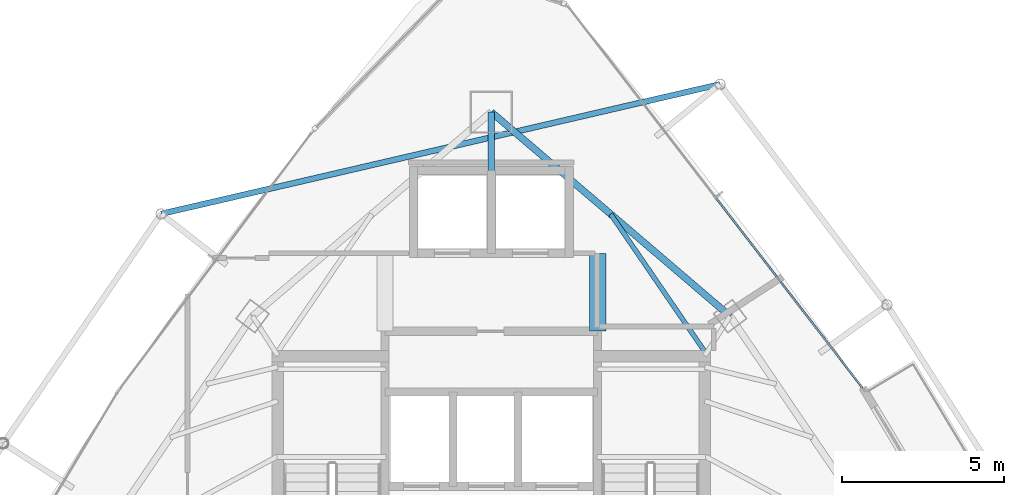
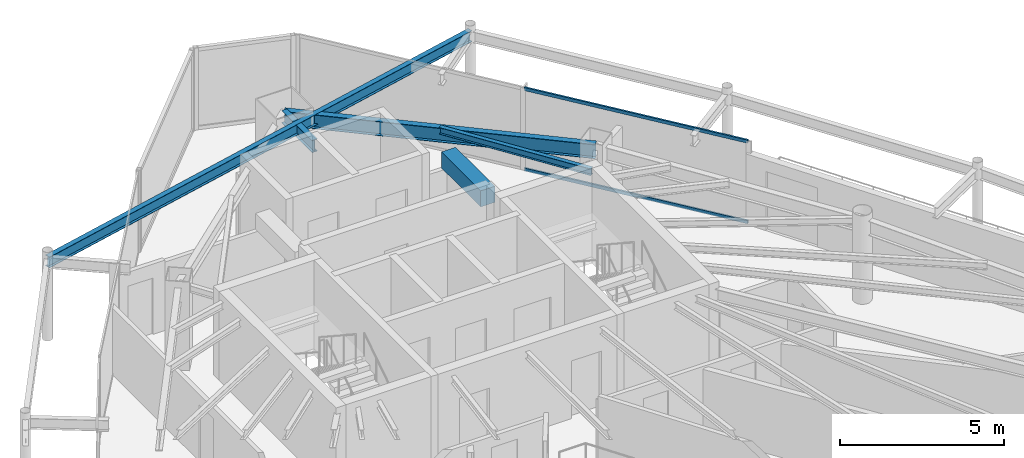
# One storey, part 22 of 30: 5 beams, 2 members, 1 element without a shape of its own.
"""IFC4 building model written with IfcOpenShell, lengths in metres."""

import ifcopenshell
import ifcopenshell.guid

model = None  # the IFC model being written
_history = None  # IfcOwnerHistory: only IFC2X3 demands one
_inside = {}  # id of a spatial element -> (the spatial element, [elements in it])
_under = {}  # id of a project, library or spatial element -> (it, [spatial elements below it])
_declared = {}  # id of a project -> (the project, [libraries it declares])
_typed = {}  # id of a type object -> (the type object, [elements of that type])
_made_of = {}  # id of a material, layer set ... -> (it, [elements and type objects made of it])


def new_model(schema):
    """Start an empty IFC model of exactly this schema.

    Asked for "IFC4X3", IfcOpenShell would pick the latest addendum, in which some entities
    have other attributes; the version numbers below select the first issue.
    IFC2X3 requires an IfcOwnerHistory on every rooted entity: one is made here for all.
    """
    global model, _history
    if schema == "IFC4X3":
        model = ifcopenshell.file(schema_version=(4, 3, 0, 0))
    else:
        model = ifcopenshell.file(schema=schema)
    _inside.clear()
    _under.clear()
    _declared.clear()
    _typed.clear()
    _made_of.clear()
    _history = None
    if model.schema == "IFC2X3":
        org = make("IfcOrganization", Name="unknown")
        user = make(
            "IfcPersonAndOrganization",
            ThePerson=make("IfcPerson", FamilyName="unknown"),
            TheOrganization=org,
        )
        app = make(
            "IfcApplication",
            ApplicationDeveloper=org,
            Version="unknown",
            ApplicationFullName="unknown",
            ApplicationIdentifier="unknown",
        )
        _history = make(
            "IfcOwnerHistory",
            OwningUser=user,
            OwningApplication=app,
            ChangeAction="ADDED",
            CreationDate=0,
        )
    return model


def make(cls, **values):
    """One entity of the class cls with the attributes given. An attribute that is None is left unset."""
    return model.create_entity(
        cls, **{name: value for name, value in values.items() if value is not None}
    )


def rooted(cls, **values):
    """An entity with a GlobalId (a new one), such as an element, a storey or a relation."""
    return make(cls, GlobalId=ifcopenshell.guid.new(), OwnerHistory=_history, **values)


def si_unit(unit_type, name, prefix=None):
    """IfcSIUnit, for example si_unit("LENGTHUNIT", "METRE", prefix="MILLI")."""
    return make("IfcSIUnit", UnitType=unit_type, Prefix=prefix, Name=name)


def assignment(units):
    """IfcUnitAssignment: the units of a project."""
    return None if units is None else make("IfcUnitAssignment", Units=units)


def point(xyz):
    """IfcCartesianPoint."""
    return None if xyz is None else make("IfcCartesianPoint", Coordinates=xyz)


def direction(xyz):
    """IfcDirection."""
    return None if xyz is None else make("IfcDirection", DirectionRatios=xyz)


def frame(location, z_axis=None, x_axis=None):
    """IfcAxis2Placement3D, a coordinate frame: its origin and axes. An axis left out is left unset."""
    return make(
        "IfcAxis2Placement3D",
        Location=point(location),
        Axis=direction(z_axis),
        RefDirection=direction(x_axis),
    )


def frame_2d(location, x_axis=None):
    """IfcAxis2Placement2D, a coordinate frame in the plane: its origin and x axis."""
    return make(
        "IfcAxis2Placement2D", Location=point(location), RefDirection=direction(x_axis)
    )


def origin():
    """The frame at (0, 0, 0) with its axes left unset."""
    return frame((0.0, 0.0, 0.0))


def origin_2d():
    """The frame at (0, 0) in the plane with its x axis left unset."""
    return frame_2d((0.0, 0.0))


def place(relative_to, where):
    """IfcLocalPlacement: puts the frame where relative to a parent placement (None: the world)."""
    return make(
        "IfcLocalPlacement", PlacementRelTo=relative_to, RelativePlacement=where
    )


def context(
    kind, dimensions, precision=None, world=None, true_north=None, identifier=None
):
    """IfcGeometricRepresentationContext, for example the 3D "Model" context."""
    return make(
        "IfcGeometricRepresentationContext",
        ContextIdentifier=identifier,
        ContextType=kind,
        CoordinateSpaceDimension=dimensions,
        Precision=precision,
        WorldCoordinateSystem=world,
        TrueNorth=true_north,
    )


def subcontext(parent, identifier, kind, view, scale=None):
    """IfcGeometricRepresentationSubContext, for example "Body" below "Model"."""
    return make(
        "IfcGeometricRepresentationSubContext",
        ContextIdentifier=identifier,
        ContextType=kind,
        ParentContext=parent,
        TargetScale=scale,
        TargetView=view,
    )


def project(units=None, contexts=None):
    """IfcProject with its units and contexts."""
    return rooted(
        "IfcProject",
        Name="project",
        RepresentationContexts=contexts,
        UnitsInContext=assignment(units),
    )


def spatial(cls, under=None, at=None, **own):
    """A site, building, storey or space (cls), placed at a placement, below another one or the project."""
    s = rooted(cls, ObjectPlacement=at, **own)
    if under is not None:
        _under.setdefault(under.id(), (under, []))[1].append(s)
    return s


def profile(cls, at=None, kind="AREA", **sizes):
    """A parametric profile (cls). Its sizes go by their IFC names, for example OverallWidth=200.0."""
    return make(cls, ProfileType=kind, Position=at, **sizes)


def rectangle(**sizes):
    """IfcRectangleProfileDef."""
    return profile("IfcRectangleProfileDef", **sizes)


def hollow_rectangle(**sizes):
    """IfcRectangleHollowProfileDef."""
    return profile("IfcRectangleHollowProfileDef", **sizes)


def i_section(**sizes):
    """IfcIShapeProfileDef."""
    return profile("IfcIShapeProfileDef", **sizes)


def extrude(swept, where, along, depth):
    """IfcExtrudedAreaSolid: the profile swept, set in the frame where, extruded along a direction by depth."""
    return make(
        "IfcExtrudedAreaSolid",
        SweptArea=swept,
        Position=where,
        ExtrudedDirection=direction(along),
        Depth=depth,
    )


def shape(context_of_items, identifier, shape_type, items):
    """IfcShapeRepresentation: the items that make up one representation, for example the "Body"."""
    return make(
        "IfcShapeRepresentation",
        ContextOfItems=context_of_items,
        RepresentationIdentifier=identifier,
        RepresentationType=shape_type,
        Items=items,
    )


def material(Name=None, Category=None):
    """IfcMaterial."""
    return make("IfcMaterial", Name=Name, Category=Category)


def layer(
    of_material, thickness, ventilated=None, Name=None, Category=None, Priority=None
):
    """IfcMaterialLayer: one layer of a wall or slab, of a material (None: an air gap)."""
    return make(
        "IfcMaterialLayer",
        Material=of_material,
        LayerThickness=thickness,
        IsVentilated=ventilated,
        Name=Name,
        Category=Category,
        Priority=Priority,
    )


def layer_set(layers, Name=None):
    """IfcMaterialLayerSet."""
    return make("IfcMaterialLayerSet", MaterialLayers=layers, LayerSetName=Name)


def material_profile(
    of_material, cross_section, Name=None, Category=None, Priority=None
):
    """IfcMaterialProfile: a cross section and its material."""
    return make(
        "IfcMaterialProfile",
        Name=Name,
        Material=of_material,
        Profile=cross_section,
        Priority=Priority,
        Category=Category,
    )


def profile_set(profiles, Name=None, composite=None):
    """IfcMaterialProfileSet."""
    return make(
        "IfcMaterialProfileSet",
        Name=Name,
        MaterialProfiles=profiles,
        CompositeProfile=composite,
    )


def made_of(thing, what):
    """Note that an element or type object is made of a material, layer set ...; save() writes the relation."""
    if what is not None:
        _made_of.setdefault(what.id(), (what, []))[1].append(thing)
    return thing


def type_object(cls, material=None, **own):
    """A type object (cls), such as IfcWallType, which elements share."""
    return made_of(rooted(cls, **own), material)


def element(
    cls,
    number,
    at=None,
    inside=None,
    cuts=None,
    type_object=None,
    material=None,
    context=None,
    identifier="Body",
    shape_type=None,
    held_by="IfcProductDefinitionShape",
    body=None,
    shapes=None,
    **own,
):
    """One element of the class cls, such as IfcWall. Its Tag is "e" and its number.

    at: its placement. inside: the storey or other place that contains it. cuts: it is an
    opening in that element (IfcRelVoidsElement). A single representation is given by context,
    identifier, shape_type and body (its items); several are given by shapes. held_by: the class
    of the entity that holds the representations. save() writes the other relations.
    """
    e = rooted(cls, Tag="e%d" % number, ObjectPlacement=at, **own)
    if body is not None:
        shapes = [shape(context, identifier, shape_type, body)]
    if shapes is not None:
        e.Representation = make(held_by, Representations=shapes)
    if inside is not None:
        _inside.setdefault(inside.id(), (inside, []))[1].append(e)
    if cuts is not None:
        rooted(
            "IfcRelVoidsElement", RelatingBuildingElement=cuts, RelatedOpeningElement=e
        )
    if type_object is not None:
        _typed.setdefault(type_object.id(), (type_object, []))[1].append(e)
    return made_of(e, material)


def aggregate(whole, parts):
    """IfcRelAggregates: a whole, such as a stair, and the parts it consists of."""
    return rooted("IfcRelAggregates", RelatingObject=whole, RelatedObjects=parts)


def save(model, path):
    """Write the relations noted so far, then the file.

    IfcRelAggregates (storeys below a building ...), IfcRelContainedInSpatialStructure (elements
    in a storey), IfcRelDefinesByType, IfcRelAssociatesMaterial and IfcRelDeclares: one each for
    every whole, place, type object, material and project.
    """
    for whole, parts in _under.values():
        aggregate(whole, parts)
    for where, things in _inside.values():
        rooted(
            "IfcRelContainedInSpatialStructure",
            RelatedElements=things,
            RelatingStructure=where,
        )
    for kind, things in _typed.values():
        rooted("IfcRelDefinesByType", RelatedObjects=things, RelatingType=kind)
    for what, things in _made_of.values():
        rooted("IfcRelAssociatesMaterial", RelatedObjects=things, RelatingMaterial=what)
    for by, libraries in _declared.values():
        rooted("IfcRelDeclares", RelatingContext=by, RelatedDefinitions=libraries)
    model.write(path)


model = new_model("IFC4")

# Units and contexts
model_context = context("Model", 3, precision=1e-05, world=origin(), true_north=direction((0.0, 1.0)))
body_context = subcontext(model_context, "Body", "Model", "MODEL_VIEW")
ifc_project = project(units=[si_unit("LENGTHUNIT", "METRE"), si_unit("AREAUNIT", "SQUARE_METRE"), si_unit("VOLUMEUNIT", "CUBIC_METRE"), si_unit("PLANEANGLEUNIT", "RADIAN"), si_unit("MASSUNIT", "GRAM", prefix="KILO")], contexts=[model_context])

# Site, building, storey
site_placement = place(None, origin())
site = spatial("IfcSite", under=ifc_project, at=site_placement, CompositionType="ELEMENT")
building_placement = place(site_placement, origin())
building = spatial("IfcBuilding", under=site, at=building_placement, Name="Orvanel Arch Residences", CompositionType="ELEMENT")
storey_placement = place(building_placement, frame((0.0, 0.0, 226.10009765625)))
storey = spatial("IfcBuildingStorey", under=building, at=storey_placement, Name="L64", CompositionType="ELEMENT", Elevation=226.10009765625)

# Beams
ifc_material_1 = material(Name="Structural steel AS/NZS 3679.1 Grade 300 (300 MPa)", Category="steel")
ifc_material_profile_1 = material_profile(ifc_material_1, i_section(OverallWidth=0.19091796875, OverallDepth=0.4599609375, WebThickness=0.010009765625, FlangeThickness=0.01611328125, at=origin_2d()), Name="460UB82.1")
ifc_profile_set_1 = profile_set([ifc_material_profile_1], Name="Structural steel AS/NZS 3679.1 Grade 300 (300 MPa)")
beam_type_1 = type_object("IfcBeamType", Name="BG-460UB", PredefinedType="BEAM", material=ifc_profile_set_1)
beam_1_placement = place(storey_placement, frame((33.0, 39.550048828125, 2.829833984375), z_axis=(0.0, 1.0, 0.0), x_axis=(-1.0, 0.0, 0.0)))
element("IfcBeam", 1, at=beam_1_placement, inside=storey, type_object=beam_type_1, Name="L64 North Radial Girder", PredefinedType="BEAM", context=body_context, shape_type="SweptSolid", body=[
    extrude(i_section(OverallWidth=0.19091796875, OverallDepth=0.4599609375, WebThickness=0.010009765625, FlangeThickness=0.01611328125, at=origin_2d()), origin(), (0.0, 0.0, 1.0), 1.847900390625),
])
ifc_material_profile_2 = material_profile(ifc_material_1, i_section(OverallWidth=0.14599609375, OverallDepth=0.251953125, WebThickness=0.006103515625, FlangeThickness=0.008544921875, at=origin_2d()), Name="250UB31.4")
ifc_profile_set_2 = profile_set([ifc_material_profile_2], Name="Structural steel AS/NZS 3679.1 Grade 300 (300 MPa)")
beam_type_2 = type_object("IfcBeamType", Name="BJ-250UB", PredefinedType="JOIST", material=ifc_profile_set_2)
beam_2_placement = place(storey_placement, frame((39.574951171875, 34.02001953125, 2.933837890625), z_axis=(-0.564868085352, 0.825181220188, 0.0), x_axis=(-0.825181220188, -0.564868085352, 0.0)))
element("IfcBeam", 2, at=beam_2_placement, inside=storey, type_object=beam_type_2, Name="L64 NNE2 Wing Floor Joist", PredefinedType="JOIST", context=body_context, shape_type="SweptSolid", body=[
    extrude(i_section(OverallWidth=0.14599609375, OverallDepth=0.251953125, WebThickness=0.006103515625, FlangeThickness=0.008544921875, at=origin_2d()), origin(), (0.0, 0.0, 1.0), 5.132080078125),
])
ifc_material_2 = material(Name="Concrete S65 (65 MPa)", Category="concrete")
ifc_material_profile_3 = material_profile(ifc_material_2, rectangle(XDim=0.5, YDim=0.60009765625, at=origin_2d()), Name="RC500x600")
ifc_profile_set_3 = profile_set([ifc_material_profile_3], Name="Concrete S65 (65 MPa)")
beam_type_3 = type_object("IfcBeamType", Name="CB-500x600", PredefinedType="LINTEL", material=ifc_profile_set_3)
beam_3_placement = place(storey_placement, frame((36.27490234375, 34.64990234375, 2.760009765625), z_axis=(0.0, 1.0, 0.0), x_axis=(-1.0, 0.0, 0.0)))
element("IfcBeam", 3, at=beam_3_placement, inside=storey, type_object=beam_type_3, Name="L64 East Core Lobby Coupling Lintel Beam", PredefinedType="LINTEL", context=body_context, shape_type="SweptSolid", body=[
    extrude(rectangle(XDim=0.5, YDim=0.60009765625, at=origin_2d()), origin(), (0.0, 0.0, 1.0), 2.400146484375),
])
ifc_material_profile_4 = material_profile(ifc_material_1, i_section(OverallWidth=0.177978515625, OverallDepth=0.406005859375, WebThickness=0.0078125, FlangeThickness=0.0126953125, at=origin_2d()), Name="410UB59.7")
ifc_profile_set_4 = profile_set([ifc_material_profile_4], Name="Structural steel AS/NZS 3679.1 Grade 300 (300 MPa)")
beam_type_4 = type_object("IfcBeamType", Name="OB-410UB-EXT", PredefinedType="SPANDREL", material=ifc_profile_set_4)
beam_4_placement = place(storey_placement, frame((40.0419921875, 42.25390625, 2.85693359375), z_axis=(-0.974138287107, -0.225952644579, 0.0), x_axis=(0.225952644579, -0.974138287107, 0.0)))
element("IfcBeam", 4, at=beam_4_placement, inside=storey, type_object=beam_type_4, Name="L64 Outer Perimeter Floor Ring Beam 12", PredefinedType="SPANDREL", context=body_context, shape_type="SweptSolid", body=[
    extrude(i_section(OverallWidth=0.177978515625, OverallDepth=0.406005859375, WebThickness=0.0078125, FlangeThickness=0.0126953125, at=origin_2d()), origin(), (0.0, 0.0, 1.0), 17.662841796875),
])
ifc_material_profile_5 = material_profile(ifc_material_1, i_section(OverallWidth=0.208984375, OverallDepth=0.532958984375, WebThickness=0.01025390625, FlangeThickness=0.015625, at=origin_2d()), Name="530UB92.4")
ifc_profile_set_5 = profile_set([ifc_material_profile_5], Name="Structural steel AS/NZS 3679.1 Grade 300 (300 MPa)")
beam_type_5 = type_object("IfcBeamType", Name="SP-530UB", PredefinedType="SPANDREL", material=ifc_profile_set_5)
beam_5_placement = place(storey_placement, frame((40.35205078125, 35.113037109375, 2.79296875), z_axis=(-0.760116518398, 0.649786794617, 0.0), x_axis=(-0.649786794617, -0.760116518398, 0.0)))
element("IfcBeam", 5, at=beam_5_placement, inside=storey, type_object=beam_type_5, Name="L64 Perimeter Spandrel Beam 09", PredefinedType="SPANDREL", context=body_context, shape_type="SweptSolid", body=[
    extrude(i_section(OverallWidth=0.208984375, OverallDepth=0.532958984375, WebThickness=0.01025390625, FlangeThickness=0.015625, at=origin_2d()), origin(), (0.0, 0.0, 1.0), 9.67236328125),
])

# Curtain wall, members
ifc_material_3 = material(Name="Bronze-anodised aluminium AA6063-T6", Category="aluminium")
ifc_layer = layer(ifc_material_3, 0.175048828125)
ifc_layer_set = layer_set([ifc_layer], Name="Bronze-anodised aluminium AA6063-T6")
curtain_wall_type = type_object("IfcCurtainWallType", Name="CW4-HI-SYS", PredefinedType="NOTDEFINED", material=ifc_layer_set)
curtain_wall_placement = place(storey_placement, origin())
curtain_wall = element("IfcCurtainWall", 6, at=curtain_wall_placement, inside=storey, type_object=curtain_wall_type, Name="L64 CW4-HI-SYS Unitised Curtain Wall", PredefinedType="NOTDEFINED")
ifc_material_profile_6 = material_profile(ifc_material_3, hollow_rectangle(XDim=0.06005859375, YDim=0.1201171875, WallThickness=0.00341796875, at=origin_2d()), Name="ALU120x60x3.5")
ifc_profile_set_6 = profile_set([ifc_material_profile_6], Name="Bronze-anodised aluminium AA6063-T6")
member_type = type_object("IfcMemberType", Name="TRN-120x60", PredefinedType="USERDEFINED", material=ifc_profile_set_6)
member_1_placement = place(storey_placement, frame((44.434326171875, 32.8974609375, 0.02978515625), z_axis=(-0.610718196631, 0.791848018438, 0.0), x_axis=(-0.791848018438, -0.610718196631, 0.0)))
member_1 = element("IfcMember", 7, at=member_1_placement, type_object=member_type, Name="CW-S4 transom 1.1", ObjectType="TRANSOM", PredefinedType="USERDEFINED", context=body_context, shape_type="SweptSolid", body=[
    extrude(hollow_rectangle(XDim=0.06005859375, YDim=0.1201171875, WallThickness=0.00341796875, at=origin_2d()), origin(), (0.0, 0.0, 1.0), 7.386474609375),
])
member_2_placement = place(storey_placement, frame((44.434326171875, 32.8974609375, 3.02978515625), z_axis=(-0.610718196631, 0.791848018438, 0.0), x_axis=(-0.791848018438, -0.610718196631, 0.0)))
member_2 = element("IfcMember", 8, at=member_2_placement, type_object=member_type, Name="CW-S4 transom 1.2", ObjectType="TRANSOM", PredefinedType="USERDEFINED", context=body_context, shape_type="SweptSolid", body=[
    extrude(hollow_rectangle(XDim=0.06005859375, YDim=0.1201171875, WallThickness=0.00341796875, at=origin_2d()), origin(), (0.0, 0.0, 1.0), 7.386474609375),
])
aggregate(curtain_wall, [member_1, member_2])

save(model, "model.ifc")
